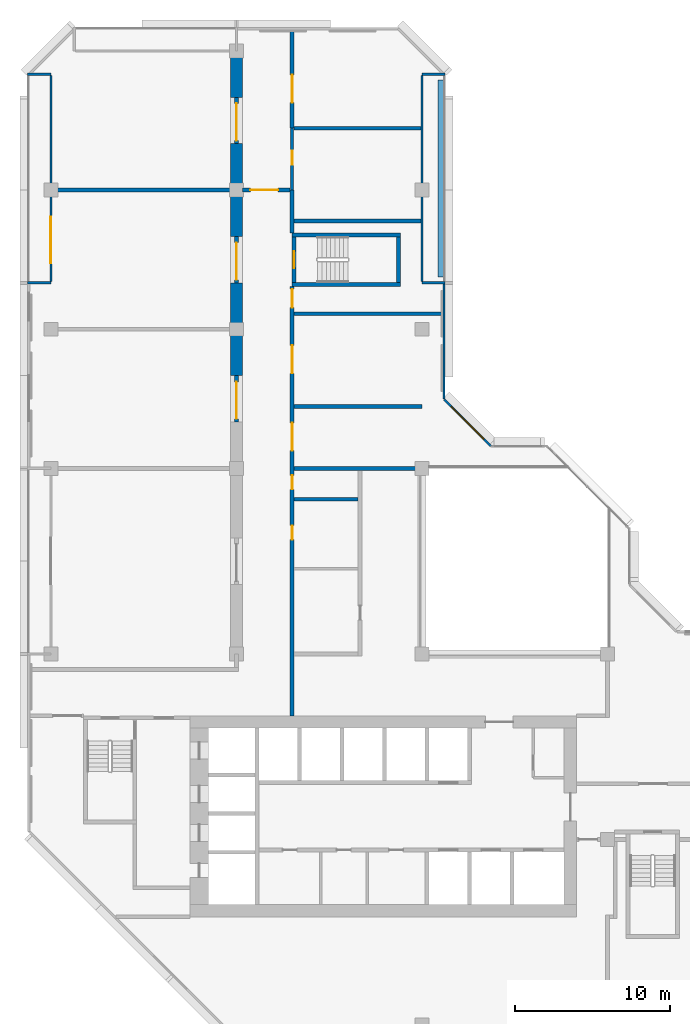
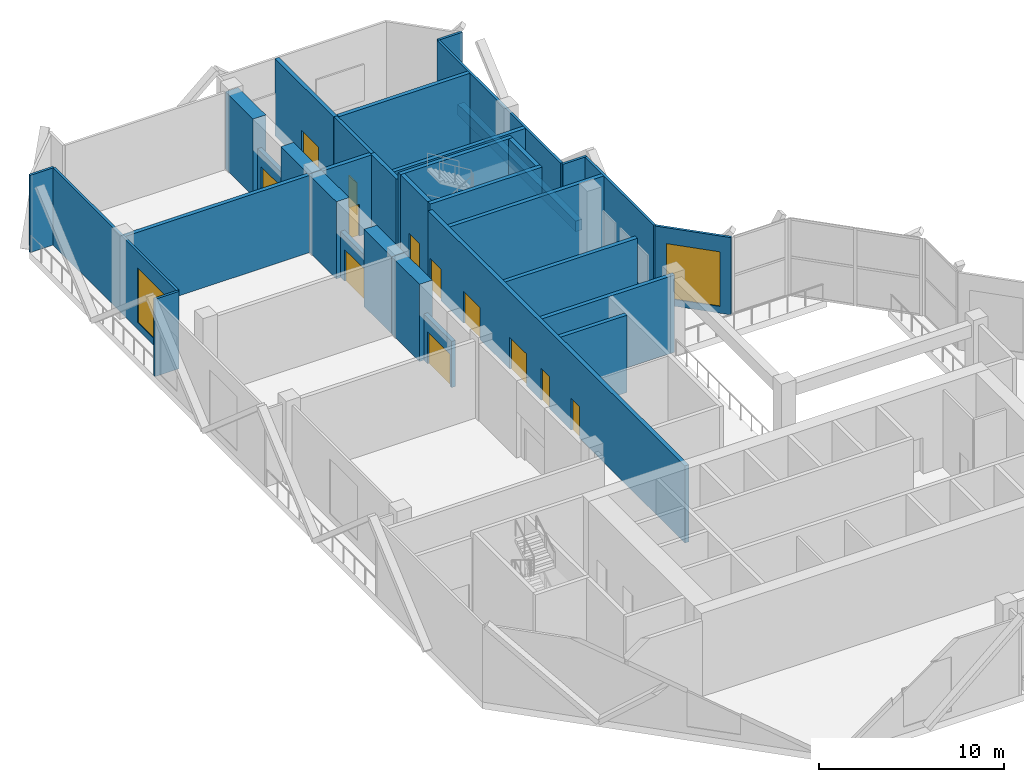
# One storey, part 7 of 11: 33 walls, 12 doors, 2 windows, 14 openings.
"""IFC4 building model written with IfcOpenShell, lengths in metres."""

import ifcopenshell
import ifcopenshell.guid

model = None  # the IFC model being written
_history = None  # IfcOwnerHistory: only IFC2X3 demands one
_inside = {}  # id of a spatial element -> (the spatial element, [elements in it])
_under = {}  # id of a project, library or spatial element -> (it, [spatial elements below it])
_declared = {}  # id of a project -> (the project, [libraries it declares])
_typed = {}  # id of a type object -> (the type object, [elements of that type])
_made_of = {}  # id of a material, layer set ... -> (it, [elements and type objects made of it])


def new_model(schema):
    """Start an empty IFC model of exactly this schema.

    Asked for "IFC4X3", IfcOpenShell would pick the latest addendum, in which some entities
    have other attributes; the version numbers below select the first issue.
    IFC2X3 requires an IfcOwnerHistory on every rooted entity: one is made here for all.
    """
    global model, _history
    if schema == "IFC4X3":
        model = ifcopenshell.file(schema_version=(4, 3, 0, 0))
    else:
        model = ifcopenshell.file(schema=schema)
    _inside.clear()
    _under.clear()
    _declared.clear()
    _typed.clear()
    _made_of.clear()
    _history = None
    if model.schema == "IFC2X3":
        org = make("IfcOrganization", Name="unknown")
        user = make(
            "IfcPersonAndOrganization",
            ThePerson=make("IfcPerson", FamilyName="unknown"),
            TheOrganization=org,
        )
        app = make(
            "IfcApplication",
            ApplicationDeveloper=org,
            Version="unknown",
            ApplicationFullName="unknown",
            ApplicationIdentifier="unknown",
        )
        _history = make(
            "IfcOwnerHistory",
            OwningUser=user,
            OwningApplication=app,
            ChangeAction="ADDED",
            CreationDate=0,
        )
    return model


def make(cls, **values):
    """One entity of the class cls with the attributes given. An attribute that is None is left unset."""
    return model.create_entity(
        cls, **{name: value for name, value in values.items() if value is not None}
    )


def rooted(cls, **values):
    """An entity with a GlobalId (a new one), such as an element, a storey or a relation."""
    return make(cls, GlobalId=ifcopenshell.guid.new(), OwnerHistory=_history, **values)


def si_unit(unit_type, name, prefix=None):
    """IfcSIUnit, for example si_unit("LENGTHUNIT", "METRE", prefix="MILLI")."""
    return make("IfcSIUnit", UnitType=unit_type, Prefix=prefix, Name=name)


def assignment(units):
    """IfcUnitAssignment: the units of a project."""
    return None if units is None else make("IfcUnitAssignment", Units=units)


def point(xyz):
    """IfcCartesianPoint."""
    return None if xyz is None else make("IfcCartesianPoint", Coordinates=xyz)


def direction(xyz):
    """IfcDirection."""
    return None if xyz is None else make("IfcDirection", DirectionRatios=xyz)


def frame(location, z_axis=None, x_axis=None):
    """IfcAxis2Placement3D, a coordinate frame: its origin and axes. An axis left out is left unset."""
    return make(
        "IfcAxis2Placement3D",
        Location=point(location),
        Axis=direction(z_axis),
        RefDirection=direction(x_axis),
    )


def frame_2d(location, x_axis=None):
    """IfcAxis2Placement2D, a coordinate frame in the plane: its origin and x axis."""
    return make(
        "IfcAxis2Placement2D", Location=point(location), RefDirection=direction(x_axis)
    )


def origin():
    """The frame at (0, 0, 0) with its axes left unset."""
    return frame((0.0, 0.0, 0.0))


def place(relative_to, where):
    """IfcLocalPlacement: puts the frame where relative to a parent placement (None: the world)."""
    return make(
        "IfcLocalPlacement", PlacementRelTo=relative_to, RelativePlacement=where
    )


def context(
    kind, dimensions, precision=None, world=None, true_north=None, identifier=None
):
    """IfcGeometricRepresentationContext, for example the 3D "Model" context."""
    return make(
        "IfcGeometricRepresentationContext",
        ContextIdentifier=identifier,
        ContextType=kind,
        CoordinateSpaceDimension=dimensions,
        Precision=precision,
        WorldCoordinateSystem=world,
        TrueNorth=true_north,
    )


def subcontext(parent, identifier, kind, view, scale=None):
    """IfcGeometricRepresentationSubContext, for example "Body" below "Model"."""
    return make(
        "IfcGeometricRepresentationSubContext",
        ContextIdentifier=identifier,
        ContextType=kind,
        ParentContext=parent,
        TargetScale=scale,
        TargetView=view,
    )


def project(units=None, contexts=None):
    """IfcProject with its units and contexts."""
    return rooted(
        "IfcProject",
        Name="project",
        RepresentationContexts=contexts,
        UnitsInContext=assignment(units),
    )


def spatial(cls, under=None, at=None, **own):
    """A site, building, storey or space (cls), placed at a placement, below another one or the project."""
    s = rooted(cls, ObjectPlacement=at, **own)
    if under is not None:
        _under.setdefault(under.id(), (under, []))[1].append(s)
    return s


def profile(cls, at=None, kind="AREA", **sizes):
    """A parametric profile (cls). Its sizes go by their IFC names, for example OverallWidth=200.0."""
    return make(cls, ProfileType=kind, Position=at, **sizes)


def rectangle(**sizes):
    """IfcRectangleProfileDef."""
    return profile("IfcRectangleProfileDef", **sizes)


def extrude(swept, where, along, depth):
    """IfcExtrudedAreaSolid: the profile swept, set in the frame where, extruded along a direction by depth."""
    return make(
        "IfcExtrudedAreaSolid",
        SweptArea=swept,
        Position=where,
        ExtrudedDirection=direction(along),
        Depth=depth,
    )


def shape(context_of_items, identifier, shape_type, items):
    """IfcShapeRepresentation: the items that make up one representation, for example the "Body"."""
    return make(
        "IfcShapeRepresentation",
        ContextOfItems=context_of_items,
        RepresentationIdentifier=identifier,
        RepresentationType=shape_type,
        Items=items,
    )


def material(Name=None, Category=None):
    """IfcMaterial."""
    return make("IfcMaterial", Name=Name, Category=Category)


def layer(
    of_material, thickness, ventilated=None, Name=None, Category=None, Priority=None
):
    """IfcMaterialLayer: one layer of a wall or slab, of a material (None: an air gap)."""
    return make(
        "IfcMaterialLayer",
        Material=of_material,
        LayerThickness=thickness,
        IsVentilated=ventilated,
        Name=Name,
        Category=Category,
        Priority=Priority,
    )


def layer_set(layers, Name=None):
    """IfcMaterialLayerSet."""
    return make("IfcMaterialLayerSet", MaterialLayers=layers, LayerSetName=Name)


def made_of(thing, what):
    """Note that an element or type object is made of a material, layer set ...; save() writes the relation."""
    if what is not None:
        _made_of.setdefault(what.id(), (what, []))[1].append(thing)
    return thing


def type_object(cls, material=None, **own):
    """A type object (cls), such as IfcWallType, which elements share."""
    return made_of(rooted(cls, **own), material)


def element(
    cls,
    number,
    at=None,
    inside=None,
    cuts=None,
    type_object=None,
    material=None,
    context=None,
    identifier="Body",
    shape_type=None,
    held_by="IfcProductDefinitionShape",
    body=None,
    shapes=None,
    **own,
):
    """One element of the class cls, such as IfcWall. Its Tag is "e" and its number.

    at: its placement. inside: the storey or other place that contains it. cuts: it is an
    opening in that element (IfcRelVoidsElement). A single representation is given by context,
    identifier, shape_type and body (its items); several are given by shapes. held_by: the class
    of the entity that holds the representations. save() writes the other relations.
    """
    e = rooted(cls, Tag="e%d" % number, ObjectPlacement=at, **own)
    if body is not None:
        shapes = [shape(context, identifier, shape_type, body)]
    if shapes is not None:
        e.Representation = make(held_by, Representations=shapes)
    if inside is not None:
        _inside.setdefault(inside.id(), (inside, []))[1].append(e)
    if cuts is not None:
        rooted(
            "IfcRelVoidsElement", RelatingBuildingElement=cuts, RelatedOpeningElement=e
        )
    if type_object is not None:
        _typed.setdefault(type_object.id(), (type_object, []))[1].append(e)
    return made_of(e, material)


def fill(opening, filler):
    """IfcRelFillsElement: the door or window that sits in an opening."""
    return rooted(
        "IfcRelFillsElement",
        RelatingOpeningElement=opening,
        RelatedBuildingElement=filler,
    )


def aggregate(whole, parts):
    """IfcRelAggregates: a whole, such as a stair, and the parts it consists of."""
    return rooted("IfcRelAggregates", RelatingObject=whole, RelatedObjects=parts)


def save(model, path):
    """Write the relations noted so far, then the file.

    IfcRelAggregates (storeys below a building ...), IfcRelContainedInSpatialStructure (elements
    in a storey), IfcRelDefinesByType, IfcRelAssociatesMaterial and IfcRelDeclares: one each for
    every whole, place, type object, material and project.
    """
    for whole, parts in _under.values():
        aggregate(whole, parts)
    for where, things in _inside.values():
        rooted(
            "IfcRelContainedInSpatialStructure",
            RelatedElements=things,
            RelatingStructure=where,
        )
    for kind, things in _typed.values():
        rooted("IfcRelDefinesByType", RelatedObjects=things, RelatingType=kind)
    for what, things in _made_of.values():
        rooted("IfcRelAssociatesMaterial", RelatedObjects=things, RelatingMaterial=what)
    for by, libraries in _declared.values():
        rooted("IfcRelDeclares", RelatingContext=by, RelatedDefinitions=libraries)
    model.write(path)


model = new_model("IFC4")

# Units and contexts
model_context = context("Model", 3, precision=1e-05, world=origin(), true_north=direction((0.0, 1.0)))
body_context = subcontext(model_context, "Body", "Model", "MODEL_VIEW")
ifc_project = project(units=[si_unit("LENGTHUNIT", "METRE"), si_unit("AREAUNIT", "SQUARE_METRE"), si_unit("VOLUMEUNIT", "CUBIC_METRE"), si_unit("PLANEANGLEUNIT", "RADIAN"), si_unit("MASSUNIT", "GRAM", prefix="KILO")], contexts=[model_context])

# Site, building, storey
site_placement = place(None, origin())
site = spatial("IfcSite", under=ifc_project, at=site_placement, CompositionType="ELEMENT")
building_placement = place(site_placement, origin())
building = spatial("IfcBuilding", under=site, at=building_placement, Name="Chenar Terraces", CompositionType="ELEMENT")
storey_placement = place(building_placement, frame((0.0, 0.0, 206.14990234375)))
storey = spatial("IfcBuildingStorey", under=building, at=storey_placement, Name="L48", CompositionType="ELEMENT", Elevation=206.14990234375)

# Walls
ifc_material_1 = material(Name="Concrete C60/75", Category="concrete")
ifc_layer_1 = layer(ifc_material_1, 0.800048828125)
ifc_layer_set_1 = layer_set([ifc_layer_1], Name="Concrete C60/75")
wall_type_1 = type_object("IfcWallType", Name="Belt wall 800 Concrete C60/75", PredefinedType="SHEAR", material=ifc_layer_set_1)
for number, where, z_axis, x_axis, name in (
    (1, (12.0, 42.0, 0.0), (0.0, 0.0, 1.0), (0.0, 1.0, 0.0), "Belt wall L48 B2"),
    (2, (12.0, 45.0, 0.0), (0.0, 0.0, 1.0), (0.0, 1.0, 0.0), "Belt wall L48 B3"),
    (3, (12.0, 51.0, 0.0), (0.0, 0.0, 1.0), (0.0, 1.0, 0.0), "Belt wall L48 B3"),
    (4, (12.0, 54.0, 0.0), (0.0, 0.0, 1.0), (0.0, 1.0, 0.0), "Belt wall L48 B4"),
    (5, (12.0, 60.0, 0.0), (0.0, 0.0, 1.0), (0.0, 1.0, 0.0), "Belt wall L48 B4"),
):
    element("IfcWall", number, at=place(storey_placement, frame(where, z_axis=z_axis, x_axis=x_axis)), inside=storey, type_object=wall_type_1, Name=name, PredefinedType="SHEAR", context=body_context, shape_type="SweptSolid", body=[
        extrude(rectangle(XDim=3.0, YDim=0.800048828125, at=frame_2d((1.5, 0.0))), origin(), (0.0, 0.0, 1.0), 5.10009765625),
    ])
ifc_material_2 = material(Name="Concrete C60/75", Category="concrete")
ifc_layer_2 = layer(ifc_material_2, 0.25)
ifc_layer_set_2 = layer_set([ifc_layer_2], Name="Concrete C60/75")
wall_type_2 = type_object("IfcWallType", Name="Core wall 250 Concrete C60/75", PredefinedType="SHEAR", material=ifc_layer_set_2)
for number, where, z_axis, x_axis, name in (
    (6, (15.60009765625, 47.89990234375, 0.0), (0.0, 0.0, 1.0), (1.0, 0.0, 0.0), "Core wall ST4_S L48"),
    (7, (15.60009765625, 51.10009765625, 0.0), (0.0, 0.0, 1.0), (1.0, 0.0, 0.0), "Core wall ST4_N L48"),
):
    element("IfcWall", number, at=place(storey_placement, frame(where, z_axis=z_axis, x_axis=x_axis)), inside=storey, type_object=wall_type_2, Name=name, PredefinedType="SHEAR", context=body_context, shape_type="SweptSolid", body=[
        extrude(rectangle(XDim=7.0, YDim=0.25, at=frame_2d((3.5, 0.0))), origin(), (0.0, 0.0, 1.0), 5.5),
    ])

# Wall, opening, door
wall_1_placement = place(storey_placement, frame((15.72509765625, 48.02490234375, 0.0), z_axis=(0.0, 0.0, 1.0), x_axis=(0.0, 1.0, 0.0)))
wall_1 = element("IfcWall", 8, at=wall_1_placement, inside=storey, type_object=wall_type_2, Name="Core wall ST4_W L48", PredefinedType="SHEAR", context=body_context, shape_type="SweptSolid", body=[
    extrude(rectangle(XDim=2.9501953125, YDim=0.25, at=frame_2d((1.47509765625, 0.0))), origin(), (0.0, 0.0, 1.0), 5.5),
])
opening_1_placement = place(wall_1_placement, frame((0.925048828125, 0.0, 0.0)))
opening_1 = element("IfcOpeningElement", 9, at=opening_1_placement, cuts=wall_1, Name="Opening DL48-C9", PredefinedType="OPENING", context=body_context, shape_type="SweptSolid", body=[
    extrude(rectangle(XDim=1.10009765625, YDim=2.199951171875, at=frame_2d((0.550048828125, 1.10009765625))), frame((0.0, 0.135009765625, 0.0), z_axis=(0.0, -1.0, 0.0), x_axis=(1.0, 0.0, 0.0)), (0.0, 0.0, 1.0), 0.27001953125),
])
ifc_material_3 = material(Name="Steel-framed fire-resisting door leaf", Category="steel")
door_type_1 = type_object("IfcDoorType", Name="Stair fire door FD60 1100 x 2200", OperationType="SINGLE_SWING_LEFT", PredefinedType="DOOR", material=ifc_material_3)
door_1_placement = place(opening_1_placement, frame((1.10009765625, 0.0, 0.0), z_axis=(0.0, 0.0, 1.0), x_axis=(-1.0, 0.0, 0.0)))
door_1 = element("IfcDoor", 10, at=door_1_placement, inside=storey, type_object=door_type_1, Name="Stair door DL48-C9", OperationType="SINGLE_SWING_RIGHT", OverallHeight=2.199951171875, OverallWidth=1.10009765625, PredefinedType="DOOR", context=body_context, shape_type="SweptSolid", body=[
    extrude(rectangle(XDim=1.10009765625, YDim=2.199951171875, at=frame_2d((0.550048828125, 1.10009765625))), frame((0.0, 0.02490234375, 0.0), z_axis=(0.0, -1.0, 0.0), x_axis=(1.0, 0.0, 0.0)), (0.0, 0.0, 1.0), 0.050048828125),
])
fill(opening_1, door_1)

# Wall
wall_2_placement = place(storey_placement, frame((22.47509765625, 48.02490234375, 0.0), z_axis=(0.0, 0.0, 1.0), x_axis=(0.0, 1.0, 0.0)))
element("IfcWall", 11, at=wall_2_placement, inside=storey, type_object=wall_type_2, Name="Core wall ST4_E L48", PredefinedType="SHEAR", context=body_context, shape_type="SweptSolid", body=[
    extrude(rectangle(XDim=2.9501953125, YDim=0.25, at=frame_2d((1.47509765625, 0.0))), origin(), (0.0, 0.0, 1.0), 5.5),
])

# Wall, opening, door
ifc_material_4 = material(Name="Gypsum board on steel studs with fire boards", Category="steel")
ifc_layer_3 = layer(ifc_material_4, 0.199951171875)
ifc_layer_set_3 = layer_set([ifc_layer_3], Name="Gypsum board on steel studs with fire boards")
wall_type_3 = type_object("IfcWallType", Name="Corridor wall 200", PredefinedType="PARTITIONING", material=ifc_layer_set_3)
wall_3_placement = place(storey_placement, frame((15.60009765625, 54.0, 0.0), z_axis=(0.0, 0.0, 1.0), x_axis=(0.0, 1.0, 0.0)))
wall_3 = element("IfcWall", 12, at=wall_3_placement, inside=storey, type_object=wall_type_3, Name="Partition L48-015", PredefinedType="PARTITIONING", context=body_context, shape_type="SweptSolid", body=[
    extrude(rectangle(XDim=4.0, YDim=0.199951171875, at=frame_2d((2.0, 0.0))), origin(), (0.0, 0.0, 1.0), 5.10009765625),
])
opening_2_placement = place(wall_3_placement, frame((1.64990234375, 0.0, 0.0)))
opening_2 = element("IfcOpeningElement", 13, at=opening_2_placement, cuts=wall_3, Name="Opening DL48-10", PredefinedType="OPENING", context=body_context, shape_type="SweptSolid", body=[
    extrude(rectangle(XDim=0.89990234375, YDim=2.10009765625, at=frame_2d((0.449951171875, 1.050048828125))), frame((0.0, 0.10986328125, 0.0), z_axis=(0.0, -1.0, 0.0), x_axis=(1.0, 0.0, 0.0)), (0.0, 0.0, 1.0), 0.219970703125),
])
ifc_material_5 = material(Name="Steel-framed fire-resisting door leaf", Category="steel")
door_type_2 = type_object("IfcDoorType", Name="Fire door FD60 900 x 2100", OperationType="SINGLE_SWING_LEFT", PredefinedType="DOOR", material=ifc_material_5)
door_2_placement = place(opening_2_placement, frame((0.89990234375, 0.0, 0.0), z_axis=(0.0, 0.0, 1.0), x_axis=(-1.0, 0.0, 0.0)))
door_2 = element("IfcDoor", 14, at=door_2_placement, inside=storey, type_object=door_type_2, Name="Door DL48-10", OperationType="SINGLE_SWING_LEFT", OverallHeight=2.10009765625, OverallWidth=0.89990234375, PredefinedType="DOOR", context=body_context, shape_type="SweptSolid", body=[
    extrude(rectangle(XDim=0.89990234375, YDim=2.10009765625, at=frame_2d((0.449951171875, 1.050048828125))), frame((0.0, 0.02490234375, 0.0), z_axis=(0.0, -1.0, 0.0), x_axis=(1.0, 0.0, 0.0)), (0.0, 0.0, 1.0), 0.050048828125),
])
fill(opening_2, door_2)

# Walls
ifc_material_6 = material(Name="Aluminium framed glazing", Category="aluminium")
ifc_layer_4 = layer(ifc_material_6, 0.14990234375)
ifc_layer_set_4 = layer_set([ifc_layer_4], Name="Aluminium framed glazing")
wall_type_4 = type_object("IfcWallType", Name="Glazed flush facade wall 150", PredefinedType="SOLIDWALL", material=ifc_layer_set_4)
wall_4_placement = place(storey_placement, frame((25.425048828125, 40.5, 0.0), z_axis=(0.0, 0.0, 1.0), x_axis=(0.0, 1.0, 0.0)))
element("IfcWall", 15, at=wall_4_placement, inside=storey, type_object=wall_type_4, Name="Glazed flush facade wall", PredefinedType="SOLIDWALL", context=body_context, shape_type="SweptSolid", body=[
    extrude(rectangle(XDim=7.425048828125, YDim=0.14990234375, at=frame_2d((3.71240234375, 0.0))), origin(), (0.0, 0.0, 1.0), 5.10009765625),
])
ifc_material_7 = material(Name="Aluminium framed glazing", Category="aluminium")
ifc_layer_5 = layer(ifc_material_7, 0.14990234375)
ifc_layer_set_5 = layer_set([ifc_layer_5], Name="Aluminium framed glazing")
wall_type_5 = type_object("IfcWallType", Name="Glazed loggia back wall 150", PredefinedType="SOLIDWALL", material=ifc_layer_set_5)
wall_5_placement = place(storey_placement, frame((24.0, 48.074951171875, 0.0), z_axis=(0.0, 0.0, 1.0), x_axis=(0.0, 1.0, 0.0)))
element("IfcWall", 16, at=wall_5_placement, inside=storey, type_object=wall_type_5, Name="Glazed loggia back wall", PredefinedType="SOLIDWALL", context=body_context, shape_type="SweptSolid", body=[
    extrude(rectangle(XDim=13.35009765625, YDim=0.14990234375, at=frame_2d((6.675048828125, 0.0))), origin(), (0.0, 0.0, 1.0), 5.10009765625),
])

# Wall, opening, window
wall_6_placement = place(storey_placement, frame((0.0, 61.425048828125, 0.0), z_axis=(0.0, 0.0, 1.0), x_axis=(0.0, -1.0, 0.0)))
wall_6 = element("IfcWall", 17, at=wall_6_placement, inside=storey, type_object=wall_type_5, Name="Glazed loggia back wall", PredefinedType="SOLIDWALL", context=body_context, shape_type="SweptSolid", body=[
    extrude(rectangle(XDim=13.35009765625, YDim=0.14990234375, at=frame_2d((6.675048828125, 0.0))), origin(), (0.0, 0.0, 1.0), 5.10009765625),
])
opening_3_placement = place(wall_6_placement, frame((9.16259765625, 0.0, 0.449951171875)))
opening_3 = element("IfcOpeningElement", 18, at=opening_3_placement, cuts=wall_6, Name="Opening W300x360", PredefinedType="OPENING", context=body_context, shape_type="SweptSolid", body=[
    extrude(rectangle(XDim=3.0, YDim=3.60009765625, at=frame_2d((1.5, 1.800048828125))), frame((0.0, 0.0849609375, 0.0), z_axis=(0.0, -1.0, 0.0), x_axis=(1.0, 0.0, 0.0)), (0.0, 0.0, 1.0), 0.169921875),
])
ifc_material_8 = material(Name="Low emissivity double glazing, aluminium frame", Category="aluminium")
window_type = type_object("IfcWindowType", Name="Fixed light 3000 x 3600", PartitioningType="SINGLE_PANEL", PredefinedType="WINDOW", material=ifc_material_8)
window_1_placement = place(opening_3_placement, origin())
window_1 = element("IfcWindow", 19, at=window_1_placement, inside=storey, type_object=window_type, Name="Window", OverallHeight=3.60009765625, OverallWidth=3.0, PartitioningType="SINGLE_PANEL", PredefinedType="WINDOW", context=body_context, shape_type="SweptSolid", body=[
    extrude(rectangle(XDim=3.0, YDim=3.60009765625, at=frame_2d((1.5, 1.800048828125))), frame((0.0, 0.030029296875, 0.0), z_axis=(0.0, -1.0, 0.0), x_axis=(1.0, 0.0, 0.0)), (0.0, 0.0, 1.0), 0.06005859375),
])
fill(opening_3, window_1)

# Walls
ifc_material_9 = material(Name="Terracotta cladding on insulated backing", Category="masonry")
ifc_layer_6 = layer(ifc_material_9, 0.14990234375)
ifc_layer_set_6 = layer_set([ifc_layer_6], Name="Terracotta cladding on insulated backing")
wall_type_6 = type_object("IfcWallType", Name="Loggia return wall 150", PredefinedType="SOLIDWALL", material=ifc_layer_set_6)
for number, where, z_axis, x_axis, name in (
    (20, (25.5, 48.0, 0.0), (0.0, 0.0, 1.0), (-1.0, 0.0, 0.0), "Loggia return wall"),
    (21, (25.5, 61.5, 0.0), (0.0, 0.0, 1.0), (-1.0, 0.0, 0.0), "Loggia return wall"),
    (22, (-1.5, 61.5, 0.0), (0.0, 0.0, 1.0), (1.0, 0.0, 0.0), "Loggia return wall"),
    (23, (-1.5, 48.0, 0.0), (0.0, 0.0, 1.0), (1.0, 0.0, 0.0), "Loggia return wall"),
):
    element("IfcWall", number, at=place(storey_placement, frame(where, z_axis=z_axis, x_axis=x_axis)), inside=storey, type_object=wall_type_6, Name=name, PredefinedType="SOLIDWALL", context=body_context, shape_type="SweptSolid", body=[
        extrude(rectangle(XDim=1.5, YDim=0.14990234375, at=frame_2d((0.75, 0.0))), origin(), (0.0, 0.0, 1.0), 5.10009765625),
    ])

# Wall, opening, door
ifc_material_10 = material(Name="Fire-board and steel stud wall with mineral wool", Category="steel")
ifc_layer_7 = layer(ifc_material_10, 0.25)
ifc_layer_set_7 = layer_set([ifc_layer_7], Name="Fire-board and steel stud wall with mineral wool")
wall_type_7 = type_object("IfcWallType", Name="Plant room wall 250", PredefinedType="PARTITIONING", material=ifc_layer_set_7)
wall_7_placement = place(storey_placement, frame((12.0, 56.9990234375, 0.0), z_axis=(0.0, 0.0, 1.0), x_axis=(0.0, 1.0, 0.0)))
wall_7 = element("IfcWall", 24, at=wall_7_placement, inside=storey, type_object=wall_type_7, Name="Partition L48-011", PredefinedType="PARTITIONING", context=body_context, shape_type="SweptSolid", body=[
    extrude(rectangle(XDim=3.001953125, YDim=0.25, at=frame_2d((1.5009765625, 0.0))), origin(), (0.0, 0.0, 1.0), 3.050048828125),
])
opening_4_placement = place(wall_7_placement, frame((0.200927734375, 0.0, 0.0)))
opening_4 = element("IfcOpeningElement", 25, at=opening_4_placement, cuts=wall_7, Name="Opening DL48-15", PredefinedType="OPENING", context=body_context, shape_type="SweptSolid", body=[
    extrude(rectangle(XDim=2.39990234375, YDim=2.10009765625, at=frame_2d((1.199951171875, 1.050048828125))), frame((0.0, 0.135009765625, 0.0), z_axis=(0.0, -1.0, 0.0), x_axis=(1.0, 0.0, 0.0)), (0.0, 0.0, 1.0), 0.27001953125),
])
ifc_material_11 = material(Name="Steel-framed fire-resisting door leaf", Category="steel")
door_type_3 = type_object("IfcDoorType", Name="Fire double door FD120 2400 x 2100", OperationType="DOUBLE_DOOR_SINGLE_SWING", PredefinedType="DOOR", material=ifc_material_11)
door_3_placement = place(opening_4_placement, origin())
door_3 = element("IfcDoor", 26, at=door_3_placement, inside=storey, type_object=door_type_3, Name="Door DL48-15", OperationType="DOUBLE_DOOR_SINGLE_SWING", OverallHeight=2.10009765625, OverallWidth=2.39990234375, PredefinedType="DOOR", context=body_context, shape_type="SweptSolid", body=[
    extrude(rectangle(XDim=2.39990234375, YDim=2.10009765625, at=frame_2d((1.199951171875, 1.050048828125))), frame((0.0, 0.02490234375, 0.0), z_axis=(0.0, -1.0, 0.0), x_axis=(1.0, 0.0, 0.0)), (0.0, 0.0, 1.0), 0.050048828125),
])
fill(opening_4, door_3)

wall_8_placement = place(storey_placement, frame((15.60009765625, 58.0, 0.0), z_axis=(0.0, 0.0, 1.0), x_axis=(0.0, 1.0, 0.0)))
wall_8 = element("IfcWall", 27, at=wall_8_placement, inside=storey, type_object=wall_type_7, Name="Partition L48-016", PredefinedType="PARTITIONING", context=body_context, shape_type="SweptSolid", body=[
    extrude(rectangle(XDim=6.35009765625, YDim=0.25, at=frame_2d((3.175048828125, 0.0))), origin(), (0.0, 0.0, 1.0), 5.10009765625),
])
opening_5_placement = place(wall_8_placement, frame((1.64990234375, 0.0, 0.0)))
opening_5 = element("IfcOpeningElement", 28, at=opening_5_placement, cuts=wall_8, Name="Opening DL48-11", PredefinedType="OPENING", context=body_context, shape_type="SweptSolid", body=[
    extrude(rectangle(XDim=1.800048828125, YDim=2.10009765625, at=frame_2d((0.89990234375, 1.050048828125))), frame((0.0, 0.135009765625, 0.0), z_axis=(0.0, -1.0, 0.0), x_axis=(1.0, 0.0, 0.0)), (0.0, 0.0, 1.0), 0.27001953125),
])
ifc_material_12 = material(Name="Steel-framed fire-resisting door leaf", Category="steel")
door_type_4 = type_object("IfcDoorType", Name="Fire double door FD120 1800 x 2100", OperationType="DOUBLE_DOOR_SINGLE_SWING", PredefinedType="DOOR", material=ifc_material_12)
door_4_placement = place(opening_5_placement, frame((1.800048828125, 0.0, 0.0), z_axis=(0.0, 0.0, 1.0), x_axis=(-1.0, 0.0, 0.0)))
door_4 = element("IfcDoor", 29, at=door_4_placement, inside=storey, type_object=door_type_4, Name="Door DL48-11", OperationType="DOUBLE_DOOR_SINGLE_SWING", OverallHeight=2.10009765625, OverallWidth=1.800048828125, PredefinedType="DOOR", context=body_context, shape_type="SweptSolid", body=[
    extrude(rectangle(XDim=1.800048828125, YDim=2.10009765625, at=frame_2d((0.89990234375, 1.050048828125))), frame((0.0, 0.02490234375, 0.0), z_axis=(0.0, -1.0, 0.0), x_axis=(1.0, 0.0, 0.0)), (0.0, 0.0, 1.0), 0.050048828125),
])
fill(opening_5, door_4)

# Walls
wall_9_placement = place(storey_placement, frame((15.72509765625, 40.0, 0.0), z_axis=(0.0, 0.0, 1.0), x_axis=(1.0, 0.0, 0.0)))
element("IfcWall", 30, at=wall_9_placement, inside=storey, type_object=wall_type_7, Name="Partition L48-021", PredefinedType="PARTITIONING", context=body_context, shape_type="SweptSolid", body=[
    extrude(rectangle(XDim=8.27490234375, YDim=0.25, at=frame_2d((4.137451171875, 0.0))), origin(), (0.0, 0.0, 1.0), 5.10009765625),
])
wall_10_placement = place(storey_placement, frame((15.72509765625, 46.0, 0.0), z_axis=(0.0, 0.0, 1.0), x_axis=(1.0, 0.0, 0.0)))
element("IfcWall", 31, at=wall_10_placement, inside=storey, type_object=wall_type_7, Name="Partition L48-022", PredefinedType="PARTITIONING", context=body_context, shape_type="SweptSolid", body=[
    extrude(rectangle(XDim=9.625, YDim=0.25, at=frame_2d((4.8125, 0.0))), origin(), (0.0, 0.0, 1.0), 5.10009765625),
])
for number, where, z_axis, x_axis, name in (
    (32, (15.72509765625, 52.0, 0.0), (0.0, 0.0, 1.0), (1.0, 0.0, 0.0), "Partition L48-023"),
    (33, (15.72509765625, 58.0, 0.0), (0.0, 0.0, 1.0), (1.0, 0.0, 0.0), "Partition L48-024"),
):
    element("IfcWall", number, at=place(storey_placement, frame(where, z_axis=z_axis, x_axis=x_axis)), inside=storey, type_object=wall_type_7, Name=name, PredefinedType="PARTITIONING", context=body_context, shape_type="SweptSolid", body=[
        extrude(rectangle(XDim=8.200927734375, YDim=0.25, at=frame_2d((4.1005859375, 0.0))), origin(), (0.0, 0.0, 1.0), 5.10009765625),
    ])
ifc_material_13 = material(Name="Fire-board and steel stud wall with mineral wool", Category="steel")
ifc_layer_8 = layer(ifc_material_13, 0.25)
ifc_layer_set_8 = layer_set([ifc_layer_8], Name="Fire-board and steel stud wall with mineral wool")
wall_type_8 = type_object("IfcWallType", Name="Refuge compartment wall 250", PredefinedType="PARTITIONING", material=ifc_layer_set_8)
wall_11_placement = place(storey_placement, frame((0.073974609375, 54.0, 0.0), z_axis=(0.0, 0.0, 1.0), x_axis=(1.0, 0.0, 0.0)))
element("IfcWall", 34, at=wall_11_placement, inside=storey, type_object=wall_type_8, Name="Partition L48-005", PredefinedType="PARTITIONING", context=body_context, shape_type="SweptSolid", body=[
    extrude(rectangle(XDim=11.527099609375, YDim=0.25, at=frame_2d((5.763671875, 0.0))), origin(), (0.0, 0.0, 1.0), 5.10009765625),
])

# Wall, opening, door
wall_12_placement = place(storey_placement, frame((12.0, 38.9990234375, 0.0), z_axis=(0.0, 0.0, 1.0), x_axis=(0.0, 1.0, 0.0)))
wall_12 = element("IfcWall", 35, at=wall_12_placement, inside=storey, type_object=wall_type_8, Name="Partition L48-009", PredefinedType="PARTITIONING", context=body_context, shape_type="SweptSolid", body=[
    extrude(rectangle(XDim=3.001953125, YDim=0.25, at=frame_2d((1.5009765625, 0.0))), origin(), (0.0, 0.0, 1.0), 3.050048828125),
])
opening_6_placement = place(wall_12_placement, frame((0.200927734375, 0.0, 0.0)))
opening_6 = element("IfcOpeningElement", 36, at=opening_6_placement, cuts=wall_12, Name="Opening DL48-13", PredefinedType="OPENING", context=body_context, shape_type="SweptSolid", body=[
    extrude(rectangle(XDim=2.39990234375, YDim=2.10009765625, at=frame_2d((1.199951171875, 1.050048828125))), frame((0.0, 0.135009765625, 0.0), z_axis=(0.0, -1.0, 0.0), x_axis=(1.0, 0.0, 0.0)), (0.0, 0.0, 1.0), 0.27001953125),
])
door_5_placement = place(opening_6_placement, origin())
door_5 = element("IfcDoor", 37, at=door_5_placement, inside=storey, type_object=door_type_3, Name="Door DL48-13", OperationType="DOUBLE_DOOR_SINGLE_SWING", OverallHeight=2.10009765625, OverallWidth=2.39990234375, PredefinedType="DOOR", context=body_context, shape_type="SweptSolid", body=[
    extrude(rectangle(XDim=2.39990234375, YDim=2.10009765625, at=frame_2d((1.199951171875, 1.050048828125))), frame((0.0, 0.02490234375, 0.0), z_axis=(0.0, -1.0, 0.0), x_axis=(1.0, 0.0, 0.0)), (0.0, 0.0, 1.0), 0.050048828125),
])
fill(opening_6, door_5)

wall_13_placement = place(storey_placement, frame((12.0, 47.9990234375, 0.0), z_axis=(0.0, 0.0, 1.0), x_axis=(0.0, 1.0, 0.0)))
wall_13 = element("IfcWall", 38, at=wall_13_placement, inside=storey, type_object=wall_type_8, Name="Partition L48-010", PredefinedType="PARTITIONING", context=body_context, shape_type="SweptSolid", body=[
    extrude(rectangle(XDim=3.001953125, YDim=0.25, at=frame_2d((1.5009765625, 0.0))), origin(), (0.0, 0.0, 1.0), 3.050048828125),
])
opening_7_placement = place(wall_13_placement, frame((0.200927734375, 0.0, 0.0)))
opening_7 = element("IfcOpeningElement", 39, at=opening_7_placement, cuts=wall_13, Name="Opening DL48-14", PredefinedType="OPENING", context=body_context, shape_type="SweptSolid", body=[
    extrude(rectangle(XDim=2.39990234375, YDim=2.10009765625, at=frame_2d((1.199951171875, 1.050048828125))), frame((0.0, 0.135009765625, 0.0), z_axis=(0.0, -1.0, 0.0), x_axis=(1.0, 0.0, 0.0)), (0.0, 0.0, 1.0), 0.27001953125),
])
door_6_placement = place(opening_7_placement, origin())
door_6 = element("IfcDoor", 40, at=door_6_placement, inside=storey, type_object=door_type_3, Name="Door DL48-14", OperationType="DOUBLE_DOOR_SINGLE_SWING", OverallHeight=2.10009765625, OverallWidth=2.39990234375, PredefinedType="DOOR", context=body_context, shape_type="SweptSolid", body=[
    extrude(rectangle(XDim=2.39990234375, YDim=2.10009765625, at=frame_2d((1.199951171875, 1.050048828125))), frame((0.0, 0.02490234375, 0.0), z_axis=(0.0, -1.0, 0.0), x_axis=(1.0, 0.0, 0.0)), (0.0, 0.0, 1.0), 0.050048828125),
])
fill(opening_7, door_6)

wall_14_placement = place(storey_placement, frame((12.39892578125, 54.0, 0.0), z_axis=(0.0, 0.0, 1.0), x_axis=(1.0, 0.0, 0.0)))
wall_14 = element("IfcWall", 41, at=wall_14_placement, inside=storey, type_object=wall_type_8, Name="Partition L48-012", PredefinedType="PARTITIONING", context=body_context, shape_type="SweptSolid", body=[
    extrude(rectangle(XDim=3.076171875, YDim=0.25, at=frame_2d((1.5380859375, 0.0))), origin(), (0.0, 0.0, 1.0), 5.10009765625),
])
opening_8_placement = place(wall_14_placement, frame((0.5009765625, 0.0, 0.0)))
opening_8 = element("IfcOpeningElement", 42, at=opening_8_placement, cuts=wall_14, Name="Opening DL48-19", PredefinedType="OPENING", context=body_context, shape_type="SweptSolid", body=[
    extrude(rectangle(XDim=1.800048828125, YDim=2.10009765625, at=frame_2d((0.89990234375, 1.050048828125))), frame((0.0, 0.135009765625, 0.0), z_axis=(0.0, -1.0, 0.0), x_axis=(1.0, 0.0, 0.0)), (0.0, 0.0, 1.0), 0.27001953125),
])
door_7_placement = place(opening_8_placement, frame((1.800048828125, 0.0, 0.0), z_axis=(0.0, 0.0, 1.0), x_axis=(-1.0, 0.0, 0.0)))
door_7 = element("IfcDoor", 43, at=door_7_placement, inside=storey, type_object=door_type_4, Name="Door DL48-19", OperationType="DOUBLE_DOOR_SINGLE_SWING", OverallHeight=2.10009765625, OverallWidth=1.800048828125, PredefinedType="DOOR", context=body_context, shape_type="SweptSolid", body=[
    extrude(rectangle(XDim=1.800048828125, YDim=2.10009765625, at=frame_2d((0.89990234375, 1.050048828125))), frame((0.0, 0.02490234375, 0.0), z_axis=(0.0, -1.0, 0.0), x_axis=(1.0, 0.0, 0.0)), (0.0, 0.0, 1.0), 0.050048828125),
])
fill(opening_8, door_7)

# Wall, openings, doors
wall_15_placement = place(storey_placement, frame((15.60009765625, 20.0, 0.0), z_axis=(0.0, 0.0, 1.0), x_axis=(0.0, 1.0, 0.0)))
wall_15 = element("IfcWall", 44, at=wall_15_placement, inside=storey, type_object=wall_type_8, Name="Partition L48-013", PredefinedType="PARTITIONING", context=body_context, shape_type="SweptSolid", body=[
    extrude(rectangle(XDim=27.77490234375, YDim=0.25, at=frame_2d((13.887451171875, 0.0))), origin(), (0.0, 0.0, 1.0), 5.10009765625),
])
opening_9_placement = place(wall_15_placement, frame((17.14990234375, 0.0, 0.0)))
opening_9 = element("IfcOpeningElement", 45, at=opening_9_placement, cuts=wall_15, Name="Opening DL48-7", PredefinedType="OPENING", context=body_context, shape_type="SweptSolid", body=[
    extrude(rectangle(XDim=1.800048828125, YDim=2.10009765625, at=frame_2d((0.89990234375, 1.050048828125))), frame((0.0, 0.135009765625, 0.0), z_axis=(0.0, -1.0, 0.0), x_axis=(1.0, 0.0, 0.0)), (0.0, 0.0, 1.0), 0.27001953125),
])
opening_10_placement = place(wall_15_placement, frame((22.14990234375, 0.0, 0.0)))
opening_10 = element("IfcOpeningElement", 46, at=opening_10_placement, cuts=wall_15, Name="Opening DL48-8", PredefinedType="OPENING", context=body_context, shape_type="SweptSolid", body=[
    extrude(rectangle(XDim=1.800048828125, YDim=2.10009765625, at=frame_2d((0.89990234375, 1.050048828125))), frame((0.0, 0.135009765625, 0.0), z_axis=(0.0, -1.0, 0.0), x_axis=(1.0, 0.0, 0.0)), (0.0, 0.0, 1.0), 0.27001953125),
])
opening_11_placement = place(wall_15_placement, frame((26.39990234375, 0.0, 0.0)))
opening_11 = element("IfcOpeningElement", 47, at=opening_11_placement, cuts=wall_15, Name="Opening DL48-9", PredefinedType="OPENING", context=body_context, shape_type="SweptSolid", body=[
    extrude(rectangle(XDim=1.199951171875, YDim=2.10009765625, at=frame_2d((0.60009765625, 1.050048828125))), frame((0.0, 0.135009765625, 0.0), z_axis=(0.0, -1.0, 0.0), x_axis=(1.0, 0.0, 0.0)), (0.0, 0.0, 1.0), 0.27001953125),
])
opening_12_placement = place(wall_15_placement, frame((14.64990234375, 0.0, 0.0)))
opening_12 = element("IfcOpeningElement", 48, at=opening_12_placement, cuts=wall_15, Name="Opening DL48-16", PredefinedType="OPENING", context=body_context, shape_type="SweptSolid", body=[
    extrude(rectangle(XDim=0.89990234375, YDim=2.10009765625, at=frame_2d((0.449951171875, 1.050048828125))), frame((0.0, 0.135009765625, 0.0), z_axis=(0.0, -1.0, 0.0), x_axis=(1.0, 0.0, 0.0)), (0.0, 0.0, 1.0), 0.27001953125),
])
opening_13_placement = place(wall_15_placement, frame((11.39990234375, 0.0, 0.0)))
opening_13 = element("IfcOpeningElement", 49, at=opening_13_placement, cuts=wall_15, Name="Opening DL48-20", PredefinedType="OPENING", context=body_context, shape_type="SweptSolid", body=[
    extrude(rectangle(XDim=0.89990234375, YDim=2.10009765625, at=frame_2d((0.449951171875, 1.050048828125))), frame((0.0, 0.135009765625, 0.0), z_axis=(0.0, -1.0, 0.0), x_axis=(1.0, 0.0, 0.0)), (0.0, 0.0, 1.0), 0.27001953125),
])
ifc_material_14 = material(Name="Steel-framed fire-resisting door leaf", Category="steel")
door_type_5 = type_object("IfcDoorType", Name="Fire door FD120 1200 x 2100", OperationType="SINGLE_SWING_LEFT", PredefinedType="DOOR", material=ifc_material_14)
door_8_placement = place(opening_11_placement, frame((1.199951171875, 0.0, 0.0), z_axis=(0.0, 0.0, 1.0), x_axis=(-1.0, 0.0, 0.0)))
door_8 = element("IfcDoor", 50, at=door_8_placement, inside=storey, type_object=door_type_5, Name="Door DL48-9", OperationType="SINGLE_SWING_LEFT", OverallHeight=2.10009765625, OverallWidth=1.199951171875, PredefinedType="DOOR", context=body_context, shape_type="SweptSolid", body=[
    extrude(rectangle(XDim=1.199951171875, YDim=2.10009765625, at=frame_2d((0.60009765625, 1.050048828125))), frame((0.0, 0.02490234375, 0.0), z_axis=(0.0, -1.0, 0.0), x_axis=(1.0, 0.0, 0.0)), (0.0, 0.0, 1.0), 0.050048828125),
])
fill(opening_11, door_8)
ifc_material_15 = material(Name="Steel-framed fire-resisting door leaf", Category="steel")
door_type_6 = type_object("IfcDoorType", Name="Fire door FD120 900 x 2100", OperationType="SINGLE_SWING_LEFT", PredefinedType="DOOR", material=ifc_material_15)
door_9_placement = place(opening_12_placement, frame((0.89990234375, 0.0, 0.0), z_axis=(0.0, 0.0, 1.0), x_axis=(-1.0, 0.0, 0.0)))
door_9 = element("IfcDoor", 51, at=door_9_placement, inside=storey, type_object=door_type_6, Name="Door DL48-16", OperationType="SINGLE_SWING_LEFT", OverallHeight=2.10009765625, OverallWidth=0.89990234375, PredefinedType="DOOR", context=body_context, shape_type="SweptSolid", body=[
    extrude(rectangle(XDim=0.89990234375, YDim=2.10009765625, at=frame_2d((0.449951171875, 1.050048828125))), frame((0.0, 0.02490234375, 0.0), z_axis=(0.0, -1.0, 0.0), x_axis=(1.0, 0.0, 0.0)), (0.0, 0.0, 1.0), 0.050048828125),
])
fill(opening_12, door_9)
door_10_placement = place(opening_13_placement, frame((0.89990234375, 0.0, 0.0), z_axis=(0.0, 0.0, 1.0), x_axis=(-1.0, 0.0, 0.0)))
door_10 = element("IfcDoor", 52, at=door_10_placement, inside=storey, type_object=door_type_6, Name="Door DL48-20", OperationType="SINGLE_SWING_LEFT", OverallHeight=2.10009765625, OverallWidth=0.89990234375, PredefinedType="DOOR", context=body_context, shape_type="SweptSolid", body=[
    extrude(rectangle(XDim=0.89990234375, YDim=2.10009765625, at=frame_2d((0.449951171875, 1.050048828125))), frame((0.0, 0.02490234375, 0.0), z_axis=(0.0, -1.0, 0.0), x_axis=(1.0, 0.0, 0.0)), (0.0, 0.0, 1.0), 0.050048828125),
])
fill(opening_13, door_10)
door_11_placement = place(opening_9_placement, frame((1.800048828125, 0.0, 0.0), z_axis=(0.0, 0.0, 1.0), x_axis=(-1.0, 0.0, 0.0)))
door_11 = element("IfcDoor", 53, at=door_11_placement, inside=storey, type_object=door_type_4, Name="Door DL48-7", OperationType="DOUBLE_DOOR_SINGLE_SWING", OverallHeight=2.10009765625, OverallWidth=1.800048828125, PredefinedType="DOOR", context=body_context, shape_type="SweptSolid", body=[
    extrude(rectangle(XDim=1.800048828125, YDim=2.10009765625, at=frame_2d((0.89990234375, 1.050048828125))), frame((0.0, 0.02490234375, 0.0), z_axis=(0.0, -1.0, 0.0), x_axis=(1.0, 0.0, 0.0)), (0.0, 0.0, 1.0), 0.050048828125),
])
fill(opening_9, door_11)
door_12_placement = place(opening_10_placement, frame((1.800048828125, 0.0, 0.0), z_axis=(0.0, 0.0, 1.0), x_axis=(-1.0, 0.0, 0.0)))
door_12 = element("IfcDoor", 54, at=door_12_placement, inside=storey, type_object=door_type_4, Name="Door DL48-8", OperationType="DOUBLE_DOOR_SINGLE_SWING", OverallHeight=2.10009765625, OverallWidth=1.800048828125, PredefinedType="DOOR", context=body_context, shape_type="SweptSolid", body=[
    extrude(rectangle(XDim=1.800048828125, YDim=2.10009765625, at=frame_2d((0.89990234375, 1.050048828125))), frame((0.0, 0.02490234375, 0.0), z_axis=(0.0, -1.0, 0.0), x_axis=(1.0, 0.0, 0.0)), (0.0, 0.0, 1.0), 0.050048828125),
])
fill(opening_10, door_12)

# Walls
wall_16_placement = place(storey_placement, frame((15.60009765625, 51.22509765625, 0.0), z_axis=(0.0, 0.0, 1.0), x_axis=(0.0, 1.0, 0.0)))
element("IfcWall", 55, at=wall_16_placement, inside=storey, type_object=wall_type_8, Name="Partition L48-014", PredefinedType="PARTITIONING", context=body_context, shape_type="SweptSolid", body=[
    extrude(rectangle(XDim=2.77490234375, YDim=0.25, at=frame_2d((1.387451171875, 0.0))), origin(), (0.0, 0.0, 1.0), 5.10009765625),
])
wall_17_placement = place(storey_placement, frame((15.72509765625, 34.0, 0.0), z_axis=(0.0, 0.0, 1.0), x_axis=(1.0, 0.0, 0.0)))
element("IfcWall", 56, at=wall_17_placement, inside=storey, type_object=wall_type_8, Name="Partition L48-019", PredefinedType="PARTITIONING", context=body_context, shape_type="SweptSolid", body=[
    extrude(rectangle(XDim=4.14990234375, YDim=0.25, at=frame_2d((2.074951171875, 0.0))), origin(), (0.0, 0.0, 1.0), 5.10009765625),
])
wall_18_placement = place(storey_placement, frame((15.72509765625, 36.0, 0.0), z_axis=(0.0, 0.0, 1.0), x_axis=(1.0, 0.0, 0.0)))
element("IfcWall", 57, at=wall_18_placement, inside=storey, type_object=wall_type_8, Name="Partition L48-020", PredefinedType="PARTITIONING", context=body_context, shape_type="SweptSolid", body=[
    extrude(rectangle(XDim=8.27490234375, YDim=0.25, at=frame_2d((4.137451171875, 0.0))), origin(), (0.0, 0.0, 1.0), 5.10009765625),
])

# Wall, opening, window
ifc_material_16 = material(Name="Terracotta cladding on insulated backing", Category="masonry")
ifc_layer_9 = layer(ifc_material_16, 0.14990234375)
ifc_layer_set_9 = layer_set([ifc_layer_9], Name="Terracotta cladding on insulated backing")
wall_type_9 = type_object("IfcWallType", Name="Terracotta rainscreen wall 150", PredefinedType="SOLIDWALL", material=ifc_layer_set_9)
wall_19_placement = place(storey_placement, frame((28.447021484375, 37.447021484375, 0.0), z_axis=(0.0, 0.0, 1.0), x_axis=(-0.707106781187, 0.707106781187, 0.0)))
wall_19 = element("IfcWall", 58, at=wall_19_placement, inside=storey, type_object=wall_type_9, Name="Terracotta rainscreen wall", PredefinedType="SOLIDWALL", context=body_context, shape_type="SweptSolid", body=[
    extrude(rectangle(XDim=4.24267578125, YDim=0.14990234375, at=frame_2d((2.121337890625, 0.0))), origin(), (0.0, 0.0, 1.0), 5.10009765625),
])
opening_14_placement = place(wall_19_placement, frame((0.621337890625, 0.0, 0.449951171875)))
opening_14 = element("IfcOpeningElement", 59, at=opening_14_placement, cuts=wall_19, Name="Opening W300x360", PredefinedType="OPENING", context=body_context, shape_type="SweptSolid", body=[
    extrude(rectangle(XDim=3.0, YDim=3.60009765625, at=frame_2d((1.5, 1.800048828125))), frame((0.0, 0.0849609375, 0.0), z_axis=(0.0, -1.0, 0.0), x_axis=(1.0, 0.0, 0.0)), (0.0, 0.0, 1.0), 0.169921875),
])
window_2_placement = place(opening_14_placement, origin())
window_2 = element("IfcWindow", 60, at=window_2_placement, inside=storey, type_object=window_type, Name="Window", OverallHeight=3.60009765625, OverallWidth=3.0, PartitioningType="SINGLE_PANEL", PredefinedType="WINDOW", context=body_context, shape_type="SweptSolid", body=[
    extrude(rectangle(XDim=3.0, YDim=3.60009765625, at=frame_2d((1.5, 1.800048828125))), frame((0.0, 0.030029296875, 0.0), z_axis=(0.0, -1.0, 0.0), x_axis=(1.0, 0.0, 0.0)), (0.0, 0.0, 1.0), 0.06005859375),
])
fill(opening_14, window_2)

# Wall
ifc_material_17 = material(Name="GRP planter trough")
ifc_layer_10 = layer(ifc_material_17, 0.39990234375)
ifc_layer_set_10 = layer_set([ifc_layer_10], Name="GRP planter trough")
wall_type_10 = type_object("IfcWallType", Name="Vertical greenery planter 400", PredefinedType="SOLIDWALL", material=ifc_layer_set_10)
wall_20_placement = place(storey_placement, frame((25.22900390625, 48.375, 0.0), z_axis=(0.0, 0.0, 1.0), x_axis=(0.0, 1.0, 0.0)))
element("IfcWall", 61, at=wall_20_placement, inside=storey, type_object=wall_type_10, Name="Vertical greenery planter", PredefinedType="SOLIDWALL", context=body_context, shape_type="SweptSolid", body=[
    extrude(rectangle(XDim=12.75, YDim=0.39990234375, at=frame_2d((6.375, 0.0))), origin(), (0.0, 0.0, 1.0), 0.7001953125),
])

save(model, "model.ifc")
